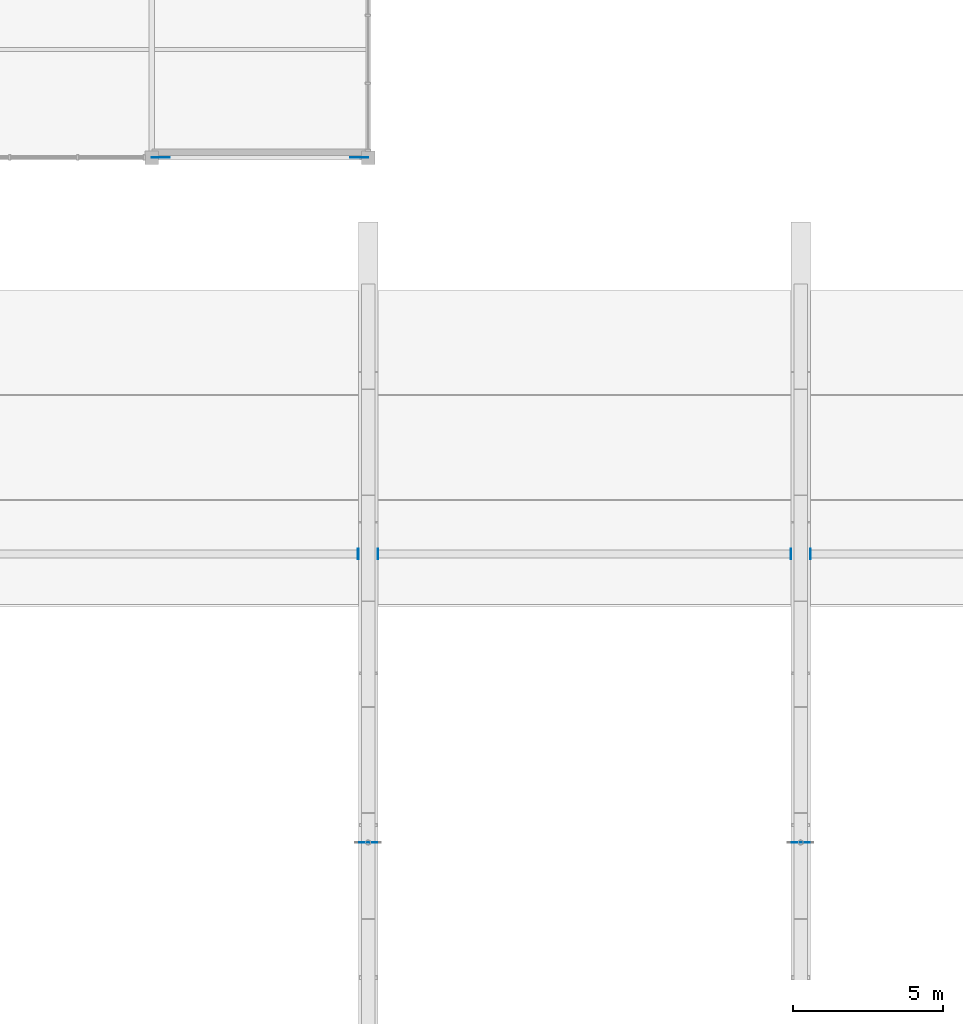
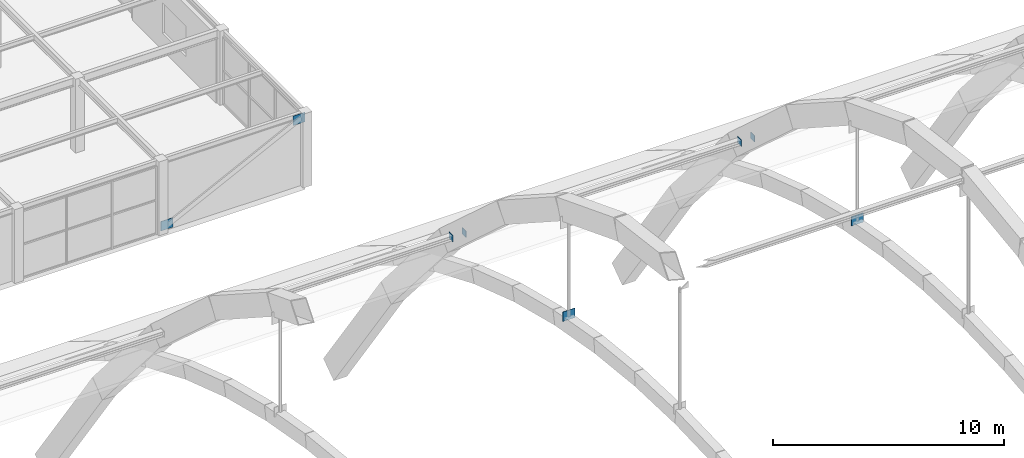
# One storey, part 50 of 64: 8 plates.
"""IFC4 building model written with IfcOpenShell, lengths in metres."""

from ifc_helpers import new_model, si_unit, direction, frame, origin, origin_2d, place, context, subcontext, project, spatial, rectangle, extrude, material, layer, layer_set, type_object, element, save


model = new_model("IFC4")

# Units and contexts
model_context = context("Model", 3, precision=1e-05, world=origin(), true_north=direction((0.0, 1.0)))
body_context = subcontext(model_context, "Body", "Model", "MODEL_VIEW")
ifc_project = project(units=[si_unit("LENGTHUNIT", "METRE"), si_unit("AREAUNIT", "SQUARE_METRE"), si_unit("VOLUMEUNIT", "CUBIC_METRE"), si_unit("PLANEANGLEUNIT", "RADIAN"), si_unit("MASSUNIT", "GRAM", prefix="KILO")], contexts=[model_context])

# Site, building, storey
site_placement = place(None, origin())
site = spatial("IfcSite", under=ifc_project, at=site_placement, CompositionType="ELEMENT")
building_placement = place(site_placement, origin())
building = spatial("IfcBuilding", under=site, at=building_placement, Name="Leyfeld Transit Interchange", CompositionType="ELEMENT")
storey_placement = place(building_placement, frame((0.0, 0.0, 9.60009765625)))
storey = spatial("IfcBuildingStorey", under=building, at=storey_placement, Name="L02", CompositionType="ELEMENT", Elevation=9.60009765625)

# Plates
ifc_material = material(Name="Steel S355J2", Category="steel")
ifc_layer_1 = layer(ifc_material, 0.02490234375, Name="Steel S355J2")
ifc_layer_set_1 = layer_set([ifc_layer_1], Name="Steel S355J2")
plate_type_1 = type_object("IfcPlateType", Name="PLT-CAP-25", PredefinedType="USERDEFINED", material=ifc_layer_set_1)
for number, where, z_axis, x_axis, name in (
    (1, (42.875, 51.60009765625, 5.166015625), (0.0, 0.0, 1.0), (0.0, 1.0, 0.0), "Arch Tie Chord East End Plate B3 T3"),
    (2, (43.52490234375, 51.60009765625, 5.166015625), (0.0, 0.0, 1.0), (0.0, 1.0, 0.0), "Arch Tie Chord West End Plate B4 T3"),
    (3, (57.27490234375, 51.60009765625, 5.166015625), (0.0, 0.0, 1.0), (0.0, 1.0, 0.0), "Arch Tie Chord East End Plate B4 T3"),
    (4, (57.925048828125, 51.60009765625, 5.166015625), (0.0, 0.0, 1.0), (0.0, 1.0, 0.0), "Arch Tie Chord West End Plate B5 T3"),
):
    element("IfcPlate", number, at=place(storey_placement, frame(where, z_axis=z_axis, x_axis=x_axis)), inside=storey, type_object=plate_type_1, Name=name, ObjectType="FLANGE_PLATE", PredefinedType="USERDEFINED", context=body_context, shape_type="SweptSolid", body=[
        extrude(rectangle(XDim=0.340087890625, YDim=0.02490234375, at=origin_2d()), origin(), (0.0, 0.0, 1.0), 0.340087890625),
    ])
ifc_layer_2 = layer(ifc_material, 0.02490234375, Name="Steel S355J2")
ifc_layer_set_2 = layer_set([ifc_layer_2], Name="Steel S355J2")
plate_type_2 = type_object("IfcPlateType", Name="PLT-GUS-25", PredefinedType="SHEET", material=ifc_layer_set_2)
for number, where, z_axis, x_axis, name in (
    (5, (43.199951171875, 42.0, 6.68505859375), (0.0, 0.0, 1.0), (1.0, 0.0, 0.0), "Hanger Lower Clevis Plate AR-03 H5"),
    (6, (57.60009765625, 42.0, 6.68505859375), (0.0, 0.0, 1.0), (1.0, 0.0, 0.0), "Hanger Lower Clevis Plate AR-04 H5"),
    (7, (36.300048828125, 64.800048828125, 0.0498046875), (0.0, 0.0, 1.0), (1.0, 0.0, 0.0), "Bracing Lower Gusset 006"),
    (8, (42.89990234375, 64.800048828125, 3.2998046875), (0.0, 0.0, 1.0), (1.0, 0.0, 0.0), "Bracing Upper Gusset 006"),
):
    element("IfcPlate", number, at=place(storey_placement, frame(where, z_axis=z_axis, x_axis=x_axis)), inside=storey, type_object=plate_type_2, Name=name, PredefinedType="SHEET", context=body_context, shape_type="SweptSolid", body=[
        extrude(rectangle(XDim=0.60009765625, YDim=0.02490234375, at=origin_2d()), origin(), (0.0, 0.0, 1.0), 0.5),
    ])

save(model, "model.ifc")
